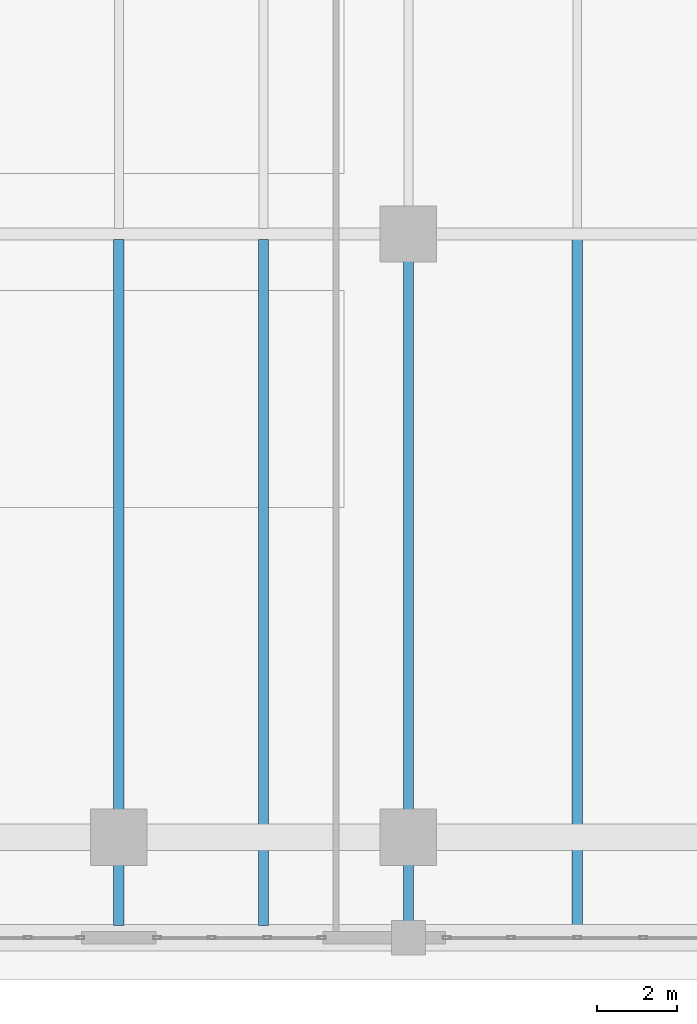
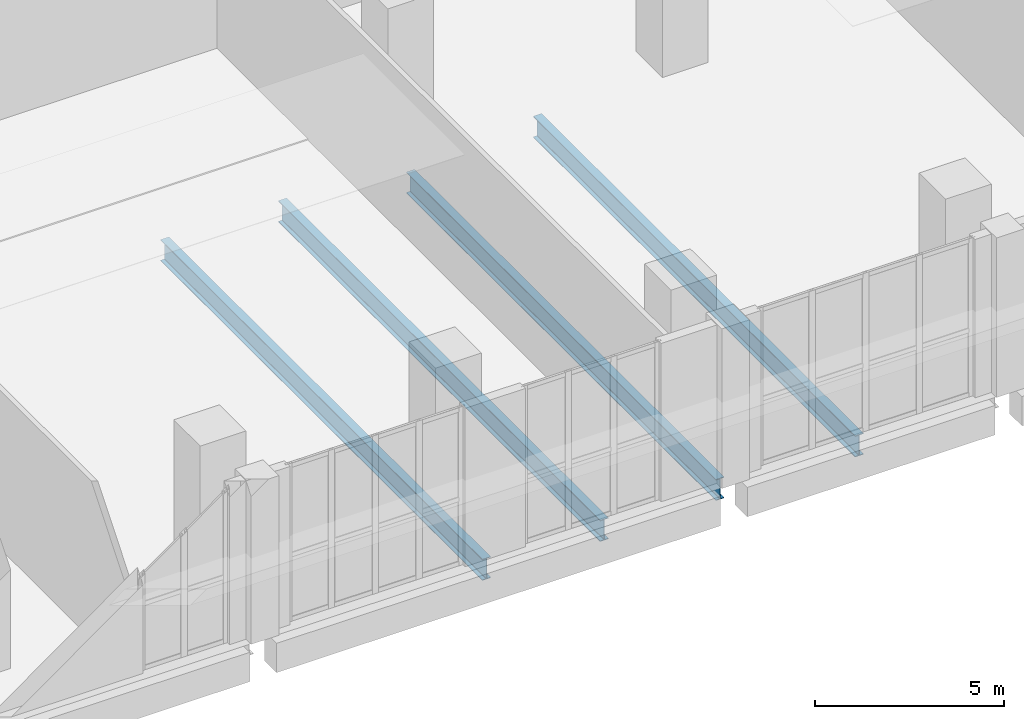
# One storey, part 10 of 25: 4 beams.
"""IFC4 building model written with IfcOpenShell, lengths in metres."""

from ifc_helpers import new_model, si_unit, direction, frame, origin, origin_2d, place, context, subcontext, project, spatial, i_section, extrude, material, material_profile, profile_set, type_object, element, save


model = new_model("IFC4")

# Units and contexts
model_context = context("Model", 3, precision=1e-05, world=origin(), true_north=direction((0.0, 1.0)))
body_context = subcontext(model_context, "Body", "Model", "MODEL_VIEW")
ifc_project = project(units=[si_unit("LENGTHUNIT", "METRE"), si_unit("AREAUNIT", "SQUARE_METRE"), si_unit("VOLUMEUNIT", "CUBIC_METRE"), si_unit("PLANEANGLEUNIT", "RADIAN"), si_unit("MASSUNIT", "GRAM", prefix="KILO")], contexts=[model_context])

# Site, building, storey
site_placement = place(None, origin())
site = spatial("IfcSite", under=ifc_project, at=site_placement, CompositionType="ELEMENT")
building_placement = place(site_placement, origin())
building = spatial("IfcBuilding", under=site, at=building_placement, Name="Kaelvorn Grand Hotel", CompositionType="ELEMENT")
storey_placement = place(building_placement, frame((0.0, 0.0, 26.0)))
storey = spatial("IfcBuildingStorey", under=building, at=storey_placement, Name="L04", CompositionType="ELEMENT", Elevation=26.0)

# Beams
ifc_material = material(Name="Steel S355", Category="steel")
ifc_material_profile = material_profile(ifc_material, i_section(OverallWidth=0.25439453125, OverallDepth=0.6875, WebThickness=0.01318359375, FlangeThickness=0.02099609375, FilletRadius=0.01513671875, at=origin_2d()), Name="UB 686x254x152")
ifc_profile_set = profile_set([ifc_material_profile], Name="Steel S355")
beam_type = type_object("IfcBeamType", Name="BM-J-UB686-S355", PredefinedType="JOIST", material=ifc_profile_set)
for number, where, z_axis, x_axis, name in (
    (1, (30.60009765625, -2.18994140625, -0.663818359375), (0.0, 1.0, 0.0), (-1.0, 0.0, 0.0), "L04 Composite Floor Joist JS-09"),
    (2, (34.199951171875, -2.18994140625, -0.663818359375), (0.0, 1.0, 0.0), (-1.0, 0.0, 0.0), "L04 Composite Floor Joist JS-10"),
):
    element("IfcBeam", number, at=place(storey_placement, frame(where, z_axis=z_axis, x_axis=x_axis)), inside=storey, type_object=beam_type, Name=name, PredefinedType="JOIST", context=body_context, shape_type="SweptSolid", body=[
        extrude(i_section(OverallWidth=0.25439453125, OverallDepth=0.6875, WebThickness=0.01318359375, FlangeThickness=0.02099609375, FilletRadius=0.01513671875, at=origin_2d()), origin(), (0.0, 0.0, 1.0), 17.05224609375),
    ])
beam_1_placement = place(storey_placement, frame((37.800048828125, -2.090087890625, -0.663818359375), z_axis=(0.0, 1.0, 0.0), x_axis=(-1.0, 0.0, 0.0)))
element("IfcBeam", 3, at=beam_1_placement, inside=storey, type_object=beam_type, Name="L04 Composite Floor Joist JS-11", PredefinedType="JOIST", context=body_context, shape_type="SweptSolid", body=[
    extrude(i_section(OverallWidth=0.25439453125, OverallDepth=0.6875, WebThickness=0.01318359375, FlangeThickness=0.02099609375, FilletRadius=0.01513671875, at=origin_2d()), origin(), (0.0, 0.0, 1.0), 16.405029296875),
])
beam_2_placement = place(storey_placement, frame((42.0, -2.18994140625, -0.663818359375), z_axis=(0.0, 1.0, 0.0), x_axis=(-1.0, 0.0, 0.0)))
element("IfcBeam", 4, at=beam_2_placement, inside=storey, type_object=beam_type, Name="L04 Composite Floor Joist JS-12", PredefinedType="JOIST", context=body_context, shape_type="SweptSolid", body=[
    extrude(i_section(OverallWidth=0.25439453125, OverallDepth=0.6875, WebThickness=0.01318359375, FlangeThickness=0.02099609375, FilletRadius=0.01513671875, at=origin_2d()), origin(), (0.0, 0.0, 1.0), 17.05224609375),
])

save(model, "model.ifc")
